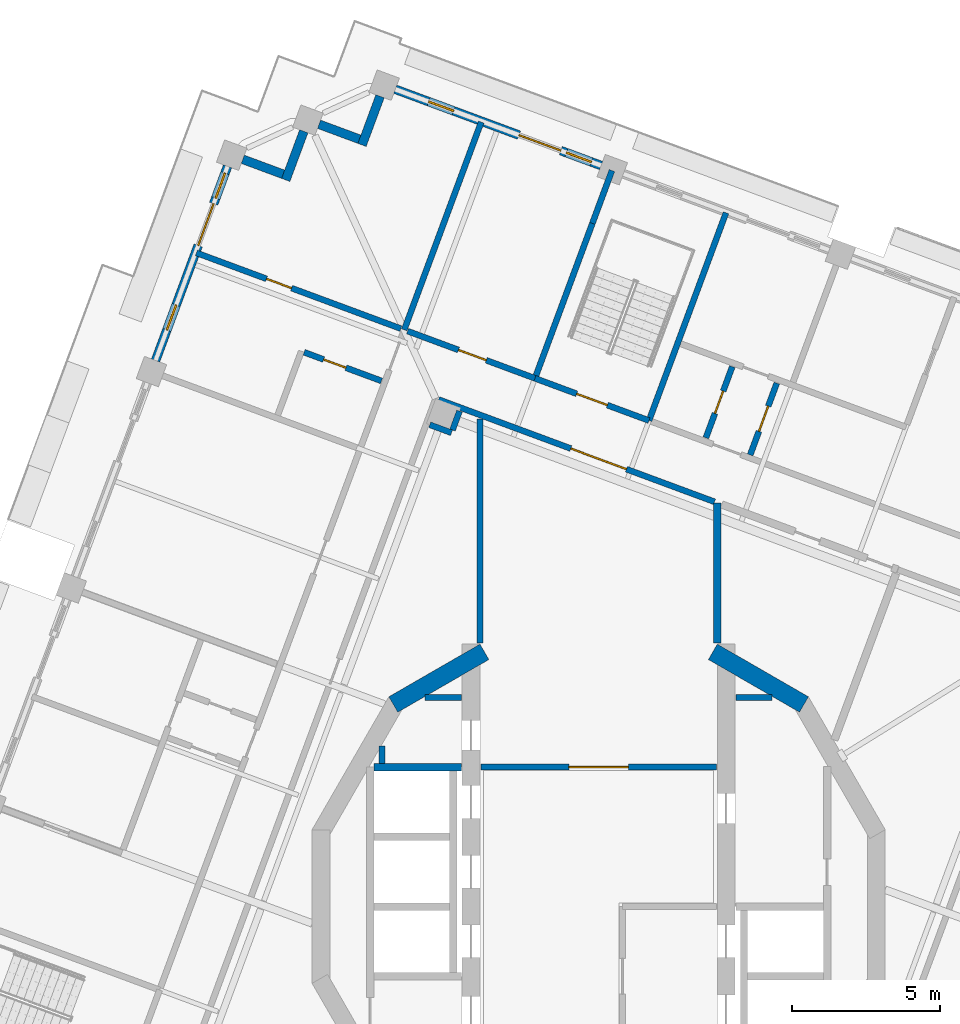
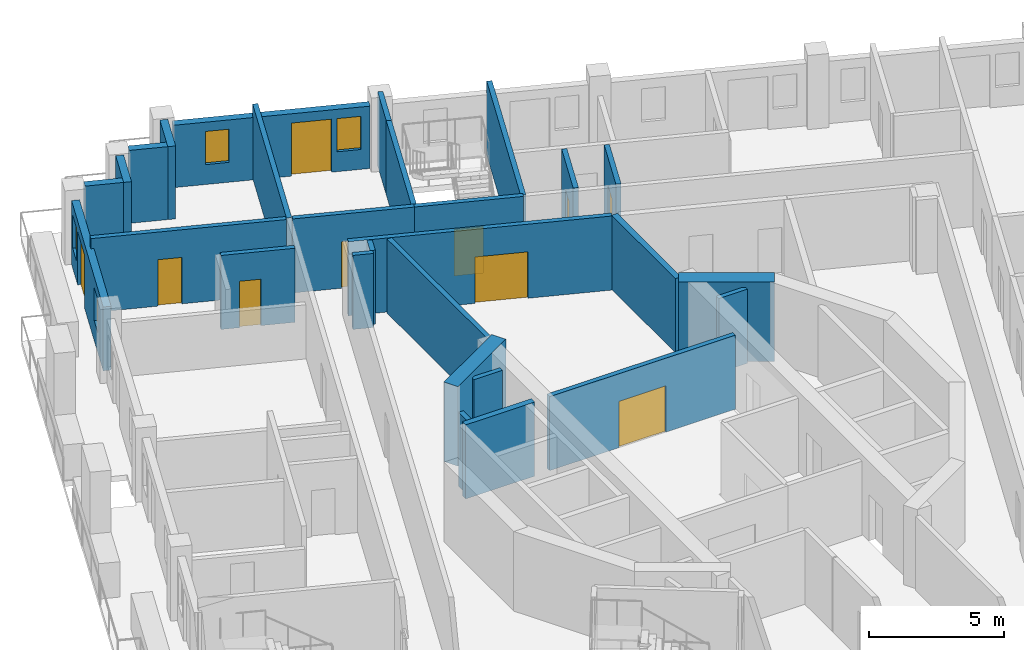
# One storey, part 9 of 19: 28 walls, 10 doors, 4 windows, 14 openings.
"""IFC4 building model written with IfcOpenShell, lengths in metres."""

from ifc_helpers import new_model, si_unit, direction, frame, frame_2d, origin, place, context, subcontext, project, spatial, rectangle, extrude, material, layer, layer_set, type_object, element, fill, save


model = new_model("IFC4")

# Units and contexts
model_context = context("Model", 3, precision=1e-05, world=origin(), true_north=direction((0.0, 1.0)))
body_context = subcontext(model_context, "Body", "Model", "MODEL_VIEW")
ifc_project = project(units=[si_unit("LENGTHUNIT", "METRE"), si_unit("AREAUNIT", "SQUARE_METRE"), si_unit("VOLUMEUNIT", "CUBIC_METRE"), si_unit("PLANEANGLEUNIT", "RADIAN"), si_unit("MASSUNIT", "GRAM", prefix="KILO")], contexts=[model_context])

# Site, building, storey
site_placement = place(None, origin())
site = spatial("IfcSite", under=ifc_project, at=site_placement, CompositionType="ELEMENT")
building_placement = place(site_placement, origin())
building = spatial("IfcBuilding", under=site, at=building_placement, Name="Cantera Rosa Tower", CompositionType="ELEMENT")
storey_placement = place(building_placement, frame((0.0, 0.0, 320.5)))
storey = spatial("IfcBuildingStorey", under=building, at=storey_placement, Name="L71", CompositionType="ELEMENT", Elevation=320.5)

# Wall
ifc_material_1 = material(Name="Gypsum board partition")
ifc_layer_1 = layer(ifc_material_1, 0.199951171875)
ifc_layer_set_1 = layer_set([ifc_layer_1], Name="CORRIDOR WALL 200 H3350")
wall_type_1 = type_object("IfcWallType", Name="CORRIDOR WALL 200 H3350", PredefinedType="PARTITIONING", material=ifc_layer_set_1)
wall_1_placement = place(storey_placement, frame((-4.0, 16.4326171875, 0.0), z_axis=(0.0, 0.0, 1.0), x_axis=(0.0, -1.0, 0.0)))
element("IfcWall", 1, at=wall_1_placement, inside=storey, type_object=wall_type_1, Name="CORRIDOR WALL L71-050", PredefinedType="PARTITIONING", context=body_context, shape_type="SweptSolid", body=[
    extrude(rectangle(XDim=7.5537109375, YDim=0.199951171875, at=frame_2d((3.77685546875, 0.0))), origin(), (0.0, 0.0, 1.0), 3.35009765625),
])

# Wall, opening, door
wall_2_placement = place(storey_placement, frame((-3.969970703125, 4.699951171875, 0.0), z_axis=(0.0, 0.0, 1.0), x_axis=(1.0, 0.0, 0.0)))
wall_2 = element("IfcWall", 2, at=wall_2_placement, inside=storey, type_object=wall_type_1, Name="CORRIDOR WALL L71-051", PredefinedType="PARTITIONING", context=body_context, shape_type="SweptSolid", body=[
    extrude(rectangle(XDim=7.93994140625, YDim=0.199951171875, at=frame_2d((3.969970703125, 0.0))), origin(), (0.0, 0.0, 1.0), 3.35009765625),
])
opening_1_placement = place(wall_2_placement, frame((2.969970703125, 0.0, 0.0)))
opening_1 = element("IfcOpeningElement", 3, at=opening_1_placement, cuts=wall_2, Name="Opening L71-010", PredefinedType="OPENING", context=body_context, shape_type="SweptSolid", body=[
    extrude(rectangle(XDim=2.0, YDim=2.10009765625, at=frame_2d((1.0, 1.050048828125))), frame((0.0, 0.10986328125, 0.0), z_axis=(0.0, -1.0, 0.0), x_axis=(1.0, 0.0, 0.0)), (0.0, 0.0, 1.0), 0.219970703125),
])
ifc_material_2 = material(Name="Steel S355J2 (EN 10025-2)", Category="steel")
door_type_1 = type_object("IfcDoorType", Name="LOBBY SCREEN DOOR 2000x2100", OperationType="NOTDEFINED", PredefinedType="DOOR", material=ifc_material_2)
door_1_placement = place(opening_1_placement, origin())
door_1 = element("IfcDoor", 4, at=door_1_placement, inside=storey, type_object=door_type_1, Name="DOOR L71-010", OperationType="NOTDEFINED", OverallHeight=2.10009765625, OverallWidth=2.0, PredefinedType="DOOR", context=body_context, shape_type="SweptSolid", body=[
    extrude(rectangle(XDim=2.0, YDim=2.10009765625, at=frame_2d((1.0, 1.050048828125))), frame((0.0, 0.02490234375, 0.0), z_axis=(0.0, -1.0, 0.0), x_axis=(1.0, 0.0, 0.0)), (0.0, 0.0, 1.0), 0.050048828125),
])
fill(opening_1, door_1)

wall_3_placement = place(storey_placement, frame((-2.146728515625, 17.805419921875, 0.0), z_axis=(0.0, 0.0, 1.0), x_axis=(-0.937682514707, 0.347493167721, 0.0)))
wall_3 = element("IfcWall", 5, at=wall_3_placement, inside=storey, type_object=wall_type_1, Name="CORRIDOR WALL L71-052", PredefinedType="PARTITIONING", context=body_context, shape_type="SweptSolid", body=[
    extrude(rectangle(XDim=4.580078125, YDim=0.199951171875, at=frame_2d((2.2900390625, 0.0))), origin(), (0.0, 0.0, 1.0), 3.35009765625),
])
opening_2_placement = place(wall_3_placement, frame((1.75, 0.0, 0.0)))
opening_2 = element("IfcOpeningElement", 6, at=opening_2_placement, cuts=wall_3, Name="Opening L71-026", PredefinedType="OPENING", context=body_context, shape_type="SweptSolid", body=[
    extrude(rectangle(XDim=1.0, YDim=2.10009765625, at=frame_2d((0.5, 1.050048828125))), frame((0.0, 0.10986328125, 0.0), z_axis=(0.0, -1.0, 0.0), x_axis=(1.0, 0.0, 0.0)), (0.0, 0.0, 1.0), 0.219970703125),
])
ifc_material_3 = material(Name="Timber door leaf", Category="wood")
door_type_2 = type_object("IfcDoorType", Name="ROOM DOOR 1000x2100", OperationType="NOTDEFINED", PredefinedType="DOOR", material=ifc_material_3)
door_2_placement = place(opening_2_placement, origin())
door_2 = element("IfcDoor", 7, at=door_2_placement, inside=storey, type_object=door_type_2, Name="DOOR L71-026", OperationType="NOTDEFINED", OverallHeight=2.10009765625, OverallWidth=1.0, PredefinedType="DOOR", context=body_context, shape_type="SweptSolid", body=[
    extrude(rectangle(XDim=1.0, YDim=2.10009765625, at=frame_2d((0.5, 1.050048828125))), frame((0.0, 0.02490234375, 0.0), z_axis=(0.0, -1.0, 0.0), x_axis=(1.0, 0.0, 0.0)), (0.0, 0.0, 1.0), 0.050048828125),
])
fill(opening_2, door_2)

wall_4_placement = place(storey_placement, frame((3.90625, 13.642822265625, 0.0), z_axis=(0.0, 0.0, 1.0), x_axis=(-0.937688197535, 0.34747783268, 0.0)))
wall_4 = element("IfcWall", 8, at=wall_4_placement, inside=storey, type_object=wall_type_1, Name="CORRIDOR WALL L71-069", PredefinedType="PARTITIONING", context=body_context, shape_type="SweptSolid", body=[
    extrude(rectangle(XDim=9.922119140625, YDim=0.199951171875, at=frame_2d((4.9609375, 0.0))), origin(), (0.0, 0.0, 1.0), 3.35009765625),
])
opening_3_placement = place(wall_4_placement, frame((3.165771484375, 0.0, 0.0)))
opening_3 = element("IfcOpeningElement", 9, at=opening_3_placement, cuts=wall_4, Name="Opening L71-009", PredefinedType="OPENING", context=body_context, shape_type="SweptSolid", body=[
    extrude(rectangle(XDim=2.0, YDim=2.10009765625, at=frame_2d((1.0, 1.050048828125))), frame((0.0, 0.10986328125, 0.0), z_axis=(0.0, -1.0, 0.0), x_axis=(1.0, 0.0, 0.0)), (0.0, 0.0, 1.0), 0.219970703125),
])
door_3_placement = place(opening_3_placement, origin())
door_3 = element("IfcDoor", 10, at=door_3_placement, inside=storey, type_object=door_type_1, Name="DOOR L71-009", OperationType="NOTDEFINED", OverallHeight=2.10009765625, OverallWidth=2.0, PredefinedType="DOOR", context=body_context, shape_type="SweptSolid", body=[
    extrude(rectangle(XDim=2.0, YDim=2.10009765625, at=frame_2d((1.0, 1.050048828125))), frame((0.0, 0.02490234375, 0.0), z_axis=(0.0, -1.0, 0.0), x_axis=(1.0, 0.0, 0.0)), (0.0, 0.0, 1.0), 0.050048828125),
])
fill(opening_3, door_3)

# Walls
ifc_material_4 = material(Name="Hollow clay masonry with cantera stone cladding", Category="masonry")
ifc_layer_2 = layer(ifc_material_4, 0.300048828125)
ifc_layer_set_2 = layer_set([ifc_layer_2], Name="EW-LOGGIA 300")
wall_type_2 = type_object("IfcWallType", Name="EW-LOGGIA 300", PredefinedType="SOLIDWALL", material=ifc_layer_set_2)
wall_5_placement = place(storey_placement, frame((-7.36865234375, 27.312255859375, 0.0), z_axis=(0.0, 0.0, 1.0), x_axis=(-0.34752790836, -0.937669639538, 0.0)))
element("IfcWall", 11, at=wall_5_placement, inside=storey, type_object=wall_type_2, Name="EN-L71-W05a", PredefinedType="SOLIDWALL", context=body_context, shape_type="SweptSolid", body=[
    extrude(rectangle(XDim=1.75, YDim=0.300048828125, at=frame_2d((0.875, 0.0))), origin(), (0.0, 0.0, 1.0), 3.300048828125),
])
wall_6_placement = place(storey_placement, frame((-8.065185546875, 25.8642578125, 0.0), z_axis=(0.0, 0.0, 1.0), x_axis=(-0.937671557958, 0.347522732201, 0.0)))
element("IfcWall", 12, at=wall_6_placement, inside=storey, type_object=wall_type_2, Name="EN-L71-W05b", PredefinedType="SOLIDWALL", context=body_context, shape_type="SweptSolid", body=[
    extrude(rectangle(XDim=1.449951171875, YDim=0.300048828125, at=frame_2d((0.72509765625, 0.0))), origin(), (0.0, 0.0, 1.0), 3.300048828125),
])
wall_7_placement = place(storey_placement, frame((-9.93896484375, 26.132080078125, 0.0), z_axis=(0.0, 0.0, 1.0), x_axis=(-0.34748245117, -0.937686486054, 0.0)))
element("IfcWall", 13, at=wall_7_placement, inside=storey, type_object=wall_type_2, Name="EN-L71-W06a", PredefinedType="SOLIDWALL", context=body_context, shape_type="SweptSolid", body=[
    extrude(rectangle(XDim=1.750244140625, YDim=0.300048828125, at=frame_2d((0.875, 0.0))), origin(), (0.0, 0.0, 1.0), 3.300048828125),
])
wall_8_placement = place(storey_placement, frame((-10.635498046875, 24.683837890625, 0.0), z_axis=(0.0, 0.0, 1.0), x_axis=(-0.937671557958, 0.347522732201, 0.0)))
element("IfcWall", 14, at=wall_8_placement, inside=storey, type_object=wall_type_2, Name="EN-L71-W06b", PredefinedType="SOLIDWALL", context=body_context, shape_type="SweptSolid", body=[
    extrude(rectangle(XDim=1.449951171875, YDim=0.300048828125, at=frame_2d((0.72509765625, 0.0))), origin(), (0.0, 0.0, 1.0), 3.300048828125),
])

# Wall, openings, windows, door
ifc_material_5 = material(Name="Hollow clay masonry with cantera stone cladding", Category="masonry")
ifc_layer_3 = layer(ifc_material_5, 0.300048828125)
ifc_layer_set_3 = layer_set([ifc_layer_3], Name="EW-LOGGIA 300 H2820")
wall_type_3 = type_object("IfcWallType", Name="EW-LOGGIA 300 H2820", PredefinedType="SOLIDWALL", material=ifc_layer_set_3)
wall_9_placement = place(storey_placement, frame((0.084228515625, 24.97705078125, 0.0), z_axis=(0.0, 0.0, 1.0), x_axis=(-0.937687456783, 0.347479831633, 0.0)))
wall_9 = element("IfcWall", 15, at=wall_9_placement, inside=storey, type_object=wall_type_3, Name="EN-L71-W04", PredefinedType="SOLIDWALL", context=body_context, shape_type="SweptSolid", body=[
    extrude(rectangle(XDim=7.39990234375, YDim=0.300048828125, at=frame_2d((3.699951171875, 0.0))), origin(), (0.0, 0.0, 1.0), 2.820068359375),
])
opening_4_placement = place(wall_9_placement, frame((0.35009765625, 0.0, 0.89990234375)))
opening_4 = element("IfcOpeningElement", 16, at=opening_4_placement, cuts=wall_9, Name="Opening L71-W10", PredefinedType="OPENING", context=body_context, shape_type="SweptSolid", body=[
    extrude(rectangle(XDim=0.89990234375, YDim=1.5, at=frame_2d((0.449951171875, 0.75))), frame((0.0, 0.159912109375, 0.0), z_axis=(0.0, -1.0, 0.0), x_axis=(1.0, 0.0, 0.0)), (0.0, 0.0, 1.0), 0.320068359375),
])
opening_5_placement = place(wall_9_placement, frame((1.449951171875, 0.0, 0.0)))
opening_5 = element("IfcOpeningElement", 17, at=opening_5_placement, cuts=wall_9, Name="Opening L71-TD11", PredefinedType="OPENING", context=body_context, shape_type="SweptSolid", body=[
    extrude(rectangle(XDim=1.5, YDim=2.39990234375, at=frame_2d((0.75, 1.199951171875))), frame((0.0, 0.159912109375, 0.0), z_axis=(0.0, -1.0, 0.0), x_axis=(1.0, 0.0, 0.0)), (0.0, 0.0, 1.0), 0.320068359375),
])
opening_6_placement = place(wall_9_placement, frame((5.300048828125, 0.0, 0.89990234375)))
opening_6 = element("IfcOpeningElement", 18, at=opening_6_placement, cuts=wall_9, Name="Opening L71-W12", PredefinedType="OPENING", context=body_context, shape_type="SweptSolid", body=[
    extrude(rectangle(XDim=0.89990234375, YDim=1.5, at=frame_2d((0.449951171875, 0.75))), frame((0.0, 0.159912109375, 0.0), z_axis=(0.0, -1.0, 0.0), x_axis=(1.0, 0.0, 0.0)), (0.0, 0.0, 1.0), 0.320068359375),
])
ifc_material_6 = material(Name="Aluminium frame with clear glass", Category="aluminium")
window_type = type_object("IfcWindowType", Name="Residential window 900x1500", PartitioningType="SINGLE_PANEL", PredefinedType="WINDOW", material=ifc_material_6)
window_1_placement = place(opening_4_placement, origin())
window_1 = element("IfcWindow", 19, at=window_1_placement, inside=storey, type_object=window_type, Name="WINDOW L71-W10", OverallHeight=1.5, OverallWidth=0.89990234375, PartitioningType="SINGLE_PANEL", PredefinedType="WINDOW", context=body_context, shape_type="SweptSolid", body=[
    extrude(rectangle(XDim=0.89990234375, YDim=1.5, at=frame_2d((0.449951171875, 0.75))), frame((0.0, 0.030029296875, 0.0), z_axis=(0.0, -1.0, 0.0), x_axis=(1.0, 0.0, 0.0)), (0.0, 0.0, 1.0), 0.06005859375),
])
fill(opening_4, window_1)
window_2_placement = place(opening_6_placement, origin())
window_2 = element("IfcWindow", 20, at=window_2_placement, inside=storey, type_object=window_type, Name="WINDOW L71-W12", OverallHeight=1.5, OverallWidth=0.89990234375, PartitioningType="SINGLE_PANEL", PredefinedType="WINDOW", context=body_context, shape_type="SweptSolid", body=[
    extrude(rectangle(XDim=0.89990234375, YDim=1.5, at=frame_2d((0.449951171875, 0.75))), frame((0.0, 0.030029296875, 0.0), z_axis=(0.0, -1.0, 0.0), x_axis=(1.0, 0.0, 0.0)), (0.0, 0.0, 1.0), 0.06005859375),
])
fill(opening_6, window_2)
ifc_material_7 = material(Name="Aluminium frame with clear glass", Category="aluminium")
door_type_3 = type_object("IfcDoorType", Name="TD-R 1500x2400", OperationType="NOTDEFINED", PredefinedType="DOOR", material=ifc_material_7)
door_4_placement = place(opening_5_placement, origin())
door_4 = element("IfcDoor", 21, at=door_4_placement, inside=storey, type_object=door_type_3, Name="LOGGIA DOOR L71-TD11", OperationType="SLIDING_TO_LEFT", OverallHeight=2.39990234375, OverallWidth=1.5, PredefinedType="DOOR", context=body_context, shape_type="SweptSolid", body=[
    extrude(rectangle(XDim=1.5, YDim=2.39990234375, at=frame_2d((0.75, 1.199951171875))), frame((0.0, 0.02490234375, 0.0), z_axis=(0.0, -1.0, 0.0), x_axis=(1.0, 0.0, 0.0)), (0.0, 0.0, 1.0), 0.050048828125),
])
fill(opening_5, door_4)

ifc_material_8 = material(Name="Hollow clay masonry with cantera stone cladding", Category="masonry")
ifc_layer_4 = layer(ifc_material_8, 0.300048828125)
ifc_layer_set_4 = layer_set([ifc_layer_4], Name="EW-LOGGIA 300 H2890")
wall_type_4 = type_object("IfcWallType", Name="EW-LOGGIA 300 H2890", PredefinedType="SOLIDWALL", material=ifc_layer_set_4)
wall_10_placement = place(storey_placement, frame((-12.50927734375, 24.95166015625, 0.0), z_axis=(0.0, 0.0, 1.0), x_axis=(-0.347490919506, -0.937683347864, 0.0)))
wall_10 = element("IfcWall", 22, at=wall_10_placement, inside=storey, type_object=wall_type_4, Name="EN-L71-W07", PredefinedType="SOLIDWALL", context=body_context, shape_type="SweptSolid", body=[
    extrude(rectangle(XDim=6.980224609375, YDim=0.300048828125, at=frame_2d((3.490234375, 0.0))), origin(), (0.0, 0.0, 1.0), 2.889892578125),
])
opening_7_placement = place(wall_10_placement, frame((0.2451171875, 0.0, 0.89990234375)))
opening_7 = element("IfcOpeningElement", 23, at=opening_7_placement, cuts=wall_10, Name="Opening L71-W13", PredefinedType="OPENING", context=body_context, shape_type="SweptSolid", body=[
    extrude(rectangle(XDim=0.89990234375, YDim=1.5, at=frame_2d((0.449951171875, 0.75))), frame((0.0, 0.159912109375, 0.0), z_axis=(0.0, -1.0, 0.0), x_axis=(1.0, 0.0, 0.0)), (0.0, 0.0, 1.0), 0.320068359375),
])
opening_8_placement = place(wall_10_placement, frame((1.344970703125, 0.0, 0.0)))
opening_8 = element("IfcOpeningElement", 24, at=opening_8_placement, cuts=wall_10, Name="Opening L71-TD14", PredefinedType="OPENING", context=body_context, shape_type="SweptSolid", body=[
    extrude(rectangle(XDim=1.5, YDim=2.39990234375, at=frame_2d((0.75, 1.199951171875))), frame((0.0, 0.159912109375, 0.0), z_axis=(0.0, -1.0, 0.0), x_axis=(1.0, 0.0, 0.0)), (0.0, 0.0, 1.0), 0.320068359375),
])
opening_9_placement = place(wall_10_placement, frame((4.985107421875, 0.0, 0.89990234375)))
opening_9 = element("IfcOpeningElement", 25, at=opening_9_placement, cuts=wall_10, Name="Opening L71-W15", PredefinedType="OPENING", context=body_context, shape_type="SweptSolid", body=[
    extrude(rectangle(XDim=0.89990234375, YDim=1.5, at=frame_2d((0.449951171875, 0.75))), frame((0.0, 0.159912109375, 0.0), z_axis=(0.0, -1.0, 0.0), x_axis=(1.0, 0.0, 0.0)), (0.0, 0.0, 1.0), 0.320068359375),
])
window_3_placement = place(opening_7_placement, origin())
window_3 = element("IfcWindow", 26, at=window_3_placement, inside=storey, type_object=window_type, Name="WINDOW L71-W13", OverallHeight=1.5, OverallWidth=0.89990234375, PartitioningType="SINGLE_PANEL", PredefinedType="WINDOW", context=body_context, shape_type="SweptSolid", body=[
    extrude(rectangle(XDim=0.89990234375, YDim=1.5, at=frame_2d((0.449951171875, 0.75))), frame((0.0, 0.030029296875, 0.0), z_axis=(0.0, -1.0, 0.0), x_axis=(1.0, 0.0, 0.0)), (0.0, 0.0, 1.0), 0.06005859375),
])
fill(opening_7, window_3)
window_4_placement = place(opening_9_placement, origin())
window_4 = element("IfcWindow", 27, at=window_4_placement, inside=storey, type_object=window_type, Name="WINDOW L71-W15", OverallHeight=1.5, OverallWidth=0.89990234375, PartitioningType="SINGLE_PANEL", PredefinedType="WINDOW", context=body_context, shape_type="SweptSolid", body=[
    extrude(rectangle(XDim=0.89990234375, YDim=1.5, at=frame_2d((0.449951171875, 0.75))), frame((0.0, 0.030029296875, 0.0), z_axis=(0.0, -1.0, 0.0), x_axis=(1.0, 0.0, 0.0)), (0.0, 0.0, 1.0), 0.06005859375),
])
fill(opening_9, window_4)
door_5_placement = place(opening_8_placement, origin())
door_5 = element("IfcDoor", 28, at=door_5_placement, inside=storey, type_object=door_type_3, Name="LOGGIA DOOR L71-TD14", OperationType="SLIDING_TO_LEFT", OverallHeight=2.39990234375, OverallWidth=1.5, PredefinedType="DOOR", context=body_context, shape_type="SweptSolid", body=[
    extrude(rectangle(XDim=1.5, YDim=2.39990234375, at=frame_2d((0.75, 1.199951171875))), frame((0.0, 0.02490234375, 0.0), z_axis=(0.0, -1.0, 0.0), x_axis=(1.0, 0.0, 0.0)), (0.0, 0.0, 1.0), 0.050048828125),
])
fill(opening_8, door_5)

# Wall, opening, door
ifc_material_9 = material(Name="Gypsum board partition")
ifc_layer_5 = layer(ifc_material_9, 0.199951171875)
ifc_layer_set_5 = layer_set([ifc_layer_5], Name="PARTITION 200 H3350")
wall_type_5 = type_object("IfcWallType", Name="PARTITION 200 H3350", PredefinedType="PARTITIONING", material=ifc_layer_set_5)
wall_11_placement = place(storey_placement, frame((-9.926513671875, 18.68359375, 0.0), z_axis=(0.0, 0.0, 1.0), x_axis=(0.937686247686, -0.347483094409, 0.0)))
wall_11 = element("IfcWall", 29, at=wall_11_placement, inside=storey, type_object=wall_type_5, Name="PARTITION L71-026", PredefinedType="PARTITIONING", context=body_context, shape_type="SweptSolid", body=[
    extrude(rectangle(XDim=2.7802734375, YDim=0.199951171875, at=frame_2d((1.39013671875, 0.0))), origin(), (0.0, 0.0, 1.0), 3.35009765625),
])
opening_10_placement = place(wall_11_placement, frame((0.699951171875, 0.0, 0.0)))
opening_10 = element("IfcOpeningElement", 30, at=opening_10_placement, cuts=wall_11, Name="Opening L71-034", PredefinedType="OPENING", context=body_context, shape_type="SweptSolid", body=[
    extrude(rectangle(XDim=0.800048828125, YDim=2.10009765625, at=frame_2d((0.39990234375, 1.050048828125))), frame((0.0, 0.10986328125, 0.0), z_axis=(0.0, -1.0, 0.0), x_axis=(1.0, 0.0, 0.0)), (0.0, 0.0, 1.0), 0.219970703125),
])
ifc_material_10 = material(Name="Timber door leaf", Category="wood")
door_type_4 = type_object("IfcDoorType", Name="BATHROOM DOOR 800x2100", OperationType="NOTDEFINED", PredefinedType="DOOR", material=ifc_material_10)
door_6_placement = place(opening_10_placement, origin())
door_6 = element("IfcDoor", 31, at=door_6_placement, inside=storey, type_object=door_type_4, Name="DOOR L71-034", OperationType="NOTDEFINED", OverallHeight=2.10009765625, OverallWidth=0.800048828125, PredefinedType="DOOR", context=body_context, shape_type="SweptSolid", body=[
    extrude(rectangle(XDim=0.800048828125, YDim=2.10009765625, at=frame_2d((0.39990234375, 1.050048828125))), frame((0.0, 0.02490234375, 0.0), z_axis=(0.0, -1.0, 0.0), x_axis=(1.0, 0.0, 0.0)), (0.0, 0.0, 1.0), 0.050048828125),
])
fill(opening_10, door_6)

# Wall
wall_12_placement = place(storey_placement, frame((-7.300048828125, 4.824951171875, 0.0), z_axis=(0.0, 0.0, 1.0), x_axis=(0.0, 1.0, 0.0)))
element("IfcWall", 32, at=wall_12_placement, inside=storey, type_object=wall_type_5, Name="PARTITION L71-034", PredefinedType="PARTITIONING", context=body_context, shape_type="SweptSolid", body=[
    extrude(rectangle(XDim=0.589599609375, YDim=0.199951171875, at=frame_2d((0.294921875, 0.0))), origin(), (0.0, 0.0, 1.0), 3.35009765625),
])

# Wall, opening, door
wall_13_placement = place(storey_placement, frame((-6.66650390625, 19.480224609375, 0.0), z_axis=(0.0, 0.0, 1.0), x_axis=(-0.937685837181, 0.347484202159, 0.0)))
wall_13 = element("IfcWall", 33, at=wall_13_placement, inside=storey, type_object=wall_type_5, Name="PARTITION L71-036", PredefinedType="PARTITIONING", context=body_context, shape_type="SweptSolid", body=[
    extrude(rectangle(XDim=7.349853515625, YDim=0.199951171875, at=frame_2d((3.6748046875, 0.0))), origin(), (0.0, 0.0, 1.0), 3.35009765625),
])
opening_11_placement = place(wall_13_placement, frame((3.929931640625, 0.0, 0.0)))
opening_11 = element("IfcOpeningElement", 34, at=opening_11_placement, cuts=wall_13, Name="Opening L71-035", PredefinedType="OPENING", context=body_context, shape_type="SweptSolid", body=[
    extrude(rectangle(XDim=0.89990234375, YDim=2.10009765625, at=frame_2d((0.449951171875, 1.050048828125))), frame((0.0, 0.10986328125, 0.0), z_axis=(0.0, -1.0, 0.0), x_axis=(1.0, 0.0, 0.0)), (0.0, 0.0, 1.0), 0.219970703125),
])
ifc_material_11 = material(Name="Timber door leaf", Category="wood")
door_type_5 = type_object("IfcDoorType", Name="ROOM DOOR 900x2100", OperationType="NOTDEFINED", PredefinedType="DOOR", material=ifc_material_11)
door_7_placement = place(opening_11_placement, origin())
door_7 = element("IfcDoor", 35, at=door_7_placement, inside=storey, type_object=door_type_5, Name="DOOR L71-035", OperationType="NOTDEFINED", OverallHeight=2.10009765625, OverallWidth=0.89990234375, PredefinedType="DOOR", context=body_context, shape_type="SweptSolid", body=[
    extrude(rectangle(XDim=0.89990234375, YDim=2.10009765625, at=frame_2d((0.449951171875, 1.050048828125))), frame((0.0, 0.02490234375, 0.0), z_axis=(0.0, -1.0, 0.0), x_axis=(1.0, 0.0, 0.0)), (0.0, 0.0, 1.0), 0.050048828125),
])
fill(opening_11, door_7)

# Walls
wall_14_placement = place(storey_placement, frame((-5.84765625, 7.050048828125, 0.0), z_axis=(0.0, 0.0, 1.0), x_axis=(1.0, 0.0, 0.0)))
element("IfcWall", 36, at=wall_14_placement, inside=storey, type_object=wall_type_5, Name="PARTITION L71-040", PredefinedType="PARTITIONING", context=body_context, shape_type="SweptSolid", body=[
    extrude(rectangle(XDim=1.2177734375, YDim=0.199951171875, at=frame_2d((0.60888671875, 0.0))), origin(), (0.0, 0.0, 1.0), 3.35009765625),
])
wall_15_placement = place(storey_placement, frame((-5.691650390625, 16.23974609375, 0.0), z_axis=(0.0, 0.0, 1.0), x_axis=(0.93771100034, -0.347416291848, 0.0)))
element("IfcWall", 37, at=wall_15_placement, inside=storey, type_object=wall_type_5, Name="PARTITION L71-041", PredefinedType="PARTITIONING", context=body_context, shape_type="SweptSolid", body=[
    extrude(rectangle(XDim=0.780029296875, YDim=0.199951171875, at=frame_2d((0.39013671875, 0.0))), origin(), (0.0, 0.0, 1.0), 3.35009765625),
])
wall_16_placement = place(storey_placement, frame((-4.925537109375, 16.0625, 0.0), z_axis=(0.0, 0.0, 1.0), x_axis=(0.347501421626, 0.937679455874, 0.0)))
element("IfcWall", 38, at=wall_16_placement, inside=storey, type_object=wall_type_5, Name="PARTITION L71-044", PredefinedType="PARTITIONING", context=body_context, shape_type="SweptSolid", body=[
    extrude(rectangle(XDim=0.68017578125, YDim=0.199951171875, at=frame_2d((0.340087890625, 0.0))), origin(), (0.0, 0.0, 1.0), 3.35009765625),
])

# Wall, opening, door
wall_17_placement = place(storey_placement, frame((4.50439453125, 18.19873046875, 0.0), z_axis=(0.0, 0.0, 1.0), x_axis=(-0.347441707582, -0.937701583571, 0.0)))
wall_17 = element("IfcWall", 39, at=wall_17_placement, inside=storey, type_object=wall_type_5, Name="PARTITION L71-070", PredefinedType="PARTITIONING", context=body_context, shape_type="SweptSolid", body=[
    extrude(rectangle(XDim=2.559814453125, YDim=0.199951171875, at=frame_2d((1.27978515625, 0.0))), origin(), (0.0, 0.0, 1.0), 3.35009765625),
])
opening_12_placement = place(wall_17_placement, frame((0.8798828125, 0.0, 0.0)))
opening_12 = element("IfcOpeningElement", 40, at=opening_12_placement, cuts=wall_17, Name="Opening L71-021", PredefinedType="OPENING", context=body_context, shape_type="SweptSolid", body=[
    extrude(rectangle(XDim=0.800048828125, YDim=2.10009765625, at=frame_2d((0.39990234375, 1.050048828125))), frame((0.0, 0.10986328125, 0.0), z_axis=(0.0, -1.0, 0.0), x_axis=(1.0, 0.0, 0.0)), (0.0, 0.0, 1.0), 0.219970703125),
])
door_8_placement = place(opening_12_placement, origin())
door_8 = element("IfcDoor", 41, at=door_8_placement, inside=storey, type_object=door_type_4, Name="DOOR L71-021", OperationType="NOTDEFINED", OverallHeight=2.10009765625, OverallWidth=0.800048828125, PredefinedType="DOOR", context=body_context, shape_type="SweptSolid", body=[
    extrude(rectangle(XDim=0.800048828125, YDim=2.10009765625, at=frame_2d((0.39990234375, 1.050048828125))), frame((0.0, 0.02490234375, 0.0), z_axis=(0.0, -1.0, 0.0), x_axis=(1.0, 0.0, 0.0)), (0.0, 0.0, 1.0), 0.050048828125),
])
fill(opening_12, door_8)

# Wall
wall_18_placement = place(storey_placement, frame((4.6298828125, 7.050048828125, 0.0), z_axis=(0.0, 0.0, 1.0), x_axis=(1.0, 0.0, 0.0)))
element("IfcWall", 42, at=wall_18_placement, inside=storey, type_object=wall_type_5, Name="PARTITION L71-072", PredefinedType="PARTITIONING", context=body_context, shape_type="SweptSolid", body=[
    extrude(rectangle(XDim=1.2177734375, YDim=0.199951171875, at=frame_2d((0.60888671875, 0.0))), origin(), (0.0, 0.0, 1.0), 3.35009765625),
])

# Wall, opening, door
wall_19_placement = place(storey_placement, frame((6.004638671875, 17.642822265625, 0.0), z_axis=(0.0, 0.0, 1.0), x_axis=(-0.34748078016, -0.937687105286, 0.0)))
wall_19 = element("IfcWall", 43, at=wall_19_placement, inside=storey, type_object=wall_type_5, Name="PARTITION L71-078", PredefinedType="PARTITIONING", context=body_context, shape_type="SweptSolid", body=[
    extrude(rectangle(XDim=2.579833984375, YDim=0.199951171875, at=frame_2d((1.2900390625, 0.0))), origin(), (0.0, 0.0, 1.0), 3.35009765625),
])
opening_13_placement = place(wall_19_placement, frame((0.830078125, 0.0, 0.0)))
opening_13 = element("IfcOpeningElement", 44, at=opening_13_placement, cuts=wall_19, Name="Opening L71-022", PredefinedType="OPENING", context=body_context, shape_type="SweptSolid", body=[
    extrude(rectangle(XDim=0.89990234375, YDim=2.10009765625, at=frame_2d((0.449951171875, 1.050048828125))), frame((0.0, 0.10986328125, 0.0), z_axis=(0.0, -1.0, 0.0), x_axis=(1.0, 0.0, 0.0)), (0.0, 0.0, 1.0), 0.219970703125),
])
door_9_placement = place(opening_13_placement, origin())
door_9 = element("IfcDoor", 45, at=door_9_placement, inside=storey, type_object=door_type_5, Name="DOOR L71-022", OperationType="NOTDEFINED", OverallHeight=2.10009765625, OverallWidth=0.89990234375, PredefinedType="DOOR", context=body_context, shape_type="SweptSolid", body=[
    extrude(rectangle(XDim=0.89990234375, YDim=2.10009765625, at=frame_2d((0.449951171875, 1.050048828125))), frame((0.0, 0.02490234375, 0.0), z_axis=(0.0, -1.0, 0.0), x_axis=(1.0, 0.0, 0.0)), (0.0, 0.0, 1.0), 0.050048828125),
])
fill(opening_13, door_9)

# Walls
ifc_material_12 = material(Name="Gypsum board partition")
ifc_layer_6 = layer(ifc_material_12, 0.199951171875)
ifc_layer_set_6 = layer_set([ifc_layer_6], Name="PARTY WALL 200 H3350")
wall_type_6 = type_object("IfcWallType", Name="PARTY WALL 200 H3350", PredefinedType="PARTITIONING", material=ifc_layer_set_6)
wall_20_placement = place(storey_placement, frame((-6.5537109375, 19.438720703125, 0.0), z_axis=(0.0, 0.0, 1.0), x_axis=(0.347460186276, 0.93769473655, 0.0)))
element("IfcWall", 46, at=wall_20_placement, inside=storey, type_object=wall_type_6, Name="PARTY WALL L71-037", PredefinedType="PARTITIONING", context=body_context, shape_type="SweptSolid", body=[
    extrude(rectangle(XDim=7.4697265625, YDim=0.199951171875, at=frame_2d((3.73486328125, 0.0))), origin(), (0.0, 0.0, 1.0), 3.35009765625),
])
ifc_material_13 = material(Name="Concrete C50/60", Category="concrete")
ifc_layer_7 = layer(ifc_material_13, 0.60009765625)
ifc_layer_set_7 = layer_set([ifc_layer_7], Name="RC CORE WALL 600 C50/60")
wall_type_7 = type_object("IfcWallType", Name="RC CORE WALL 600 C50/60", PredefinedType="SHEAR", material=ifc_layer_set_7)
for number, where, z_axis, x_axis, name in (
    (47, (-6.921142578125, 6.811279296875, 0.0), (0.0, 0.0, 1.0), (0.866039982607, 0.499974747889, 0.0), "CW-W5 L71"),
    (48, (3.85009765625, 8.584228515625, 0.0), (0.0, 0.0, 1.0), (0.866039982607, -0.499974747889, 0.0), "CW-E1 L71"),
):
    element("IfcWall", number, at=place(storey_placement, frame(where, z_axis=z_axis, x_axis=x_axis)), inside=storey, type_object=wall_type_7, Name=name, PredefinedType="SHEAR", context=body_context, shape_type="SweptSolid", body=[
        extrude(rectangle(XDim=3.546142578125, YDim=0.60009765625, at=frame_2d((1.77294921875, 0.0))), origin(), (0.0, 0.0, 1.0), 3.60009765625),
    ])
ifc_material_14 = material(Name="Masonry blockwork", Category="masonry")
ifc_layer_8 = layer(ifc_material_14, 0.25)
ifc_layer_set_8 = layer_set([ifc_layer_8], Name="SHAFT WALL 250 H3350")
wall_type_8 = type_object("IfcWallType", Name="SHAFT WALL 250 H3350", PredefinedType="SOLIDWALL", material=ifc_layer_set_8)
wall_21_placement = place(storey_placement, frame((-7.580078125, 4.699951171875, 0.0), z_axis=(0.0, 0.0, 1.0), x_axis=(1.0, 0.0, 0.0)))
element("IfcWall", 49, at=wall_21_placement, inside=storey, type_object=wall_type_8, Name="SHAFT WALL L71-033", PredefinedType="SOLIDWALL", context=body_context, shape_type="SweptSolid", body=[
    extrude(rectangle(XDim=2.9501953125, YDim=0.25, at=frame_2d((1.47509765625, 0.0))), origin(), (0.0, 0.0, 1.0), 3.35009765625),
])
wall_22_placement = place(storey_placement, frame((4.0, 8.87890625, 0.0), z_axis=(0.0, 0.0, 1.0), x_axis=(0.0, 1.0, 0.0)))
element("IfcWall", 50, at=wall_22_placement, inside=storey, type_object=wall_type_8, Name="SHAFT WALL L71-068", PredefinedType="SOLIDWALL", context=body_context, shape_type="SweptSolid", body=[
    extrude(rectangle(XDim=4.72900390625, YDim=0.25, at=frame_2d((2.364501953125, 0.0))), origin(), (0.0, 0.0, 1.0), 3.35009765625),
])

# Wall, opening, door
ifc_material_15 = material(Name="Concrete C50/60", Category="concrete")
ifc_layer_9 = layer(ifc_material_15, 0.199951171875)
ifc_layer_set_9 = layer_set([ifc_layer_9], Name="STAIR WALL 200 H3350")
wall_type_9 = type_object("IfcWallType", Name="STAIR WALL 200 H3350", PredefinedType="SOLIDWALL", material=ifc_layer_set_9)
wall_23_placement = place(storey_placement, frame((-2.146728515625, 17.805419921875, 0.0), z_axis=(0.0, 0.0, 1.0), x_axis=(0.937694876531, -0.347459808507, 0.0)))
wall_23 = element("IfcWall", 51, at=wall_23_placement, inside=storey, type_object=wall_type_9, Name="STAIR WALL L71-053", PredefinedType="SOLIDWALL", context=body_context, shape_type="SweptSolid", body=[
    extrude(rectangle(XDim=4.099853515625, YDim=0.199951171875, at=frame_2d((2.0498046875, 0.0))), origin(), (0.0, 0.0, 1.0), 3.35009765625),
])
opening_14_placement = place(wall_23_placement, frame((1.5, 0.0, 0.0)))
opening_14 = element("IfcOpeningElement", 52, at=opening_14_placement, cuts=wall_23, Name="Opening L71-002", PredefinedType="OPENING", context=body_context, shape_type="SweptSolid", body=[
    extrude(rectangle(XDim=1.10009765625, YDim=2.10009765625, at=frame_2d((0.550048828125, 1.050048828125))), frame((0.0, 0.10986328125, 0.0), z_axis=(0.0, -1.0, 0.0), x_axis=(1.0, 0.0, 0.0)), (0.0, 0.0, 1.0), 0.219970703125),
])
ifc_material_16 = material(Name="Steel S355J2 (EN 10025-2)", Category="steel")
door_type_6 = type_object("IfcDoorType", Name="STAIR DOOR 1100x2100", OperationType="NOTDEFINED", PredefinedType="DOOR", material=ifc_material_16)
door_10_placement = place(opening_14_placement, origin())
door_10 = element("IfcDoor", 53, at=door_10_placement, inside=storey, type_object=door_type_6, Name="DOOR L71-002", OperationType="NOTDEFINED", OverallHeight=2.10009765625, OverallWidth=1.10009765625, PredefinedType="DOOR", context=body_context, shape_type="SweptSolid", body=[
    extrude(rectangle(XDim=1.10009765625, YDim=2.10009765625, at=frame_2d((0.550048828125, 1.050048828125))), frame((0.0, 0.02490234375, 0.0), z_axis=(0.0, -1.0, 0.0), x_axis=(1.0, 0.0, 0.0)), (0.0, 0.0, 1.0), 0.050048828125),
])
fill(opening_14, door_10)

# Walls
wall_24_placement = place(storey_placement, frame((0.448974609375, 24.81005859375, 0.0), z_axis=(0.0, 0.0, 1.0), x_axis=(-0.34743152672, -0.937705355771, 0.0)))
element("IfcWall", 54, at=wall_24_placement, inside=storey, type_object=wall_type_9, Name="STAIR WALL L71-059", PredefinedType="SOLIDWALL", context=body_context, shape_type="SweptSolid", body=[
    extrude(rectangle(XDim=1.900146484375, YDim=0.199951171875, at=frame_2d((0.9501953125, 0.0))), origin(), (0.0, 0.0, 1.0), 3.35009765625),
])
wall_25_placement = place(storey_placement, frame((1.69775390625, 16.380859375, 0.0), z_axis=(0.0, 0.0, 1.0), x_axis=(0.347488923611, 0.937684087509, 0.0)))
element("IfcWall", 55, at=wall_25_placement, inside=storey, type_object=wall_type_9, Name="STAIR WALL L71-063", PredefinedType="SOLIDWALL", context=body_context, shape_type="SweptSolid", body=[
    extrude(rectangle(XDim=7.469970703125, YDim=0.199951171875, at=frame_2d((3.73486328125, 0.0))), origin(), (0.0, 0.0, 1.0), 3.35009765625),
])
wall_26_placement = place(storey_placement, frame((-0.211181640625, 23.0283203125, 0.0), z_axis=(0.0, 0.0, 1.0), x_axis=(-0.347494221501, -0.937682124189, 0.0)))
element("IfcWall", 56, at=wall_26_placement, inside=storey, type_object=wall_type_9, Name="STAIR WALL L71-059 J", PredefinedType="SOLIDWALL", context=body_context, shape_type="SweptSolid", body=[
    extrude(rectangle(XDim=5.570068359375, YDim=0.199951171875, at=frame_2d((2.78515625, 0.0))), origin(), (0.0, 0.0, 1.0), 3.35009765625),
])

save(model, "model.ifc")
